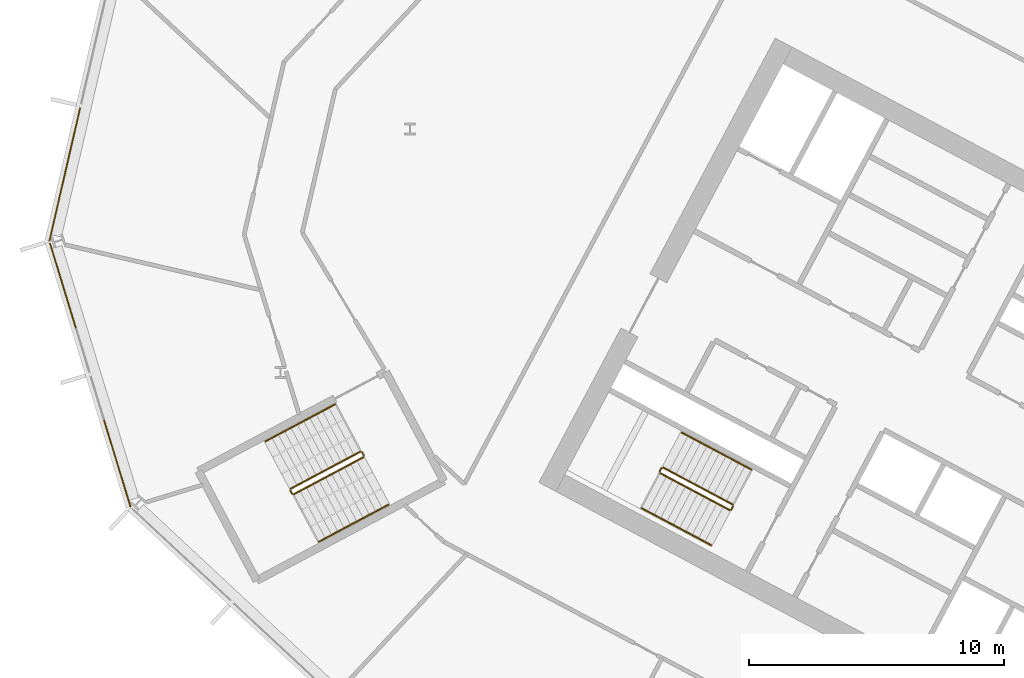
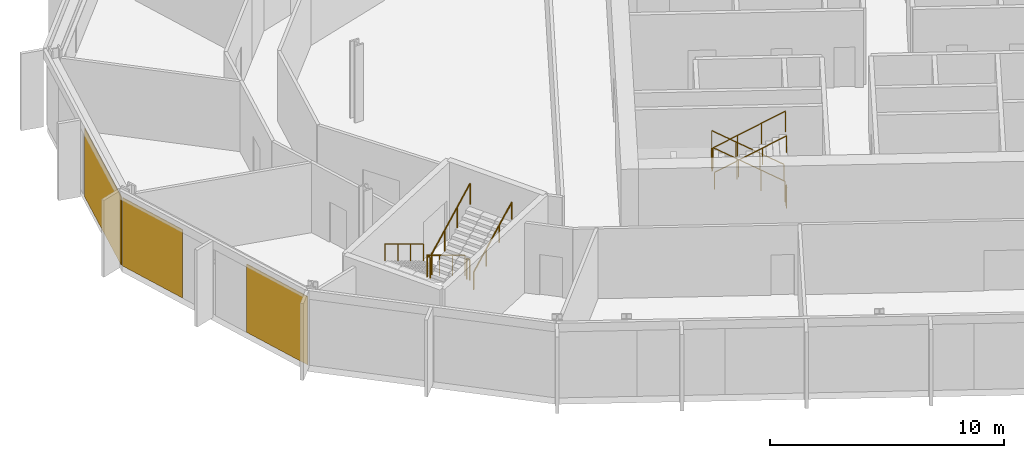
# One storey, part 21 of 28: 12 railings, 3 coverings, 2 elements without a shape of their own.
"""IFC4 building model written with IfcOpenShell, lengths in metres."""

import ifcopenshell
import ifcopenshell.guid

model = None  # the IFC model being written
_history = None  # IfcOwnerHistory: only IFC2X3 demands one
_inside = {}  # id of a spatial element -> (the spatial element, [elements in it])
_under = {}  # id of a project, library or spatial element -> (it, [spatial elements below it])
_declared = {}  # id of a project -> (the project, [libraries it declares])
_typed = {}  # id of a type object -> (the type object, [elements of that type])
_made_of = {}  # id of a material, layer set ... -> (it, [elements and type objects made of it])


def new_model(schema):
    """Start an empty IFC model of exactly this schema.

    Asked for "IFC4X3", IfcOpenShell would pick the latest addendum, in which some entities
    have other attributes; the version numbers below select the first issue.
    IFC2X3 requires an IfcOwnerHistory on every rooted entity: one is made here for all.
    """
    global model, _history
    if schema == "IFC4X3":
        model = ifcopenshell.file(schema_version=(4, 3, 0, 0))
    else:
        model = ifcopenshell.file(schema=schema)
    _inside.clear()
    _under.clear()
    _declared.clear()
    _typed.clear()
    _made_of.clear()
    _history = None
    if model.schema == "IFC2X3":
        org = make("IfcOrganization", Name="unknown")
        user = make(
            "IfcPersonAndOrganization",
            ThePerson=make("IfcPerson", FamilyName="unknown"),
            TheOrganization=org,
        )
        app = make(
            "IfcApplication",
            ApplicationDeveloper=org,
            Version="unknown",
            ApplicationFullName="unknown",
            ApplicationIdentifier="unknown",
        )
        _history = make(
            "IfcOwnerHistory",
            OwningUser=user,
            OwningApplication=app,
            ChangeAction="ADDED",
            CreationDate=0,
        )
    return model


def make(cls, **values):
    """One entity of the class cls with the attributes given. An attribute that is None is left unset."""
    return model.create_entity(
        cls, **{name: value for name, value in values.items() if value is not None}
    )


def rooted(cls, **values):
    """An entity with a GlobalId (a new one), such as an element, a storey or a relation."""
    return make(cls, GlobalId=ifcopenshell.guid.new(), OwnerHistory=_history, **values)


def si_unit(unit_type, name, prefix=None):
    """IfcSIUnit, for example si_unit("LENGTHUNIT", "METRE", prefix="MILLI")."""
    return make("IfcSIUnit", UnitType=unit_type, Prefix=prefix, Name=name)


def assignment(units):
    """IfcUnitAssignment: the units of a project."""
    return None if units is None else make("IfcUnitAssignment", Units=units)


def point(xyz):
    """IfcCartesianPoint."""
    return None if xyz is None else make("IfcCartesianPoint", Coordinates=xyz)


def direction(xyz):
    """IfcDirection."""
    return None if xyz is None else make("IfcDirection", DirectionRatios=xyz)


def frame(location, z_axis=None, x_axis=None):
    """IfcAxis2Placement3D, a coordinate frame: its origin and axes. An axis left out is left unset."""
    return make(
        "IfcAxis2Placement3D",
        Location=point(location),
        Axis=direction(z_axis),
        RefDirection=direction(x_axis),
    )


def frame_2d(location, x_axis=None):
    """IfcAxis2Placement2D, a coordinate frame in the plane: its origin and x axis."""
    return make(
        "IfcAxis2Placement2D", Location=point(location), RefDirection=direction(x_axis)
    )


def origin():
    """The frame at (0, 0, 0) with its axes left unset."""
    return frame((0.0, 0.0, 0.0))


def origin_2d():
    """The frame at (0, 0) in the plane with its x axis left unset."""
    return frame_2d((0.0, 0.0))


def place(relative_to, where):
    """IfcLocalPlacement: puts the frame where relative to a parent placement (None: the world)."""
    return make(
        "IfcLocalPlacement", PlacementRelTo=relative_to, RelativePlacement=where
    )


def context(
    kind, dimensions, precision=None, world=None, true_north=None, identifier=None
):
    """IfcGeometricRepresentationContext, for example the 3D "Model" context."""
    return make(
        "IfcGeometricRepresentationContext",
        ContextIdentifier=identifier,
        ContextType=kind,
        CoordinateSpaceDimension=dimensions,
        Precision=precision,
        WorldCoordinateSystem=world,
        TrueNorth=true_north,
    )


def subcontext(parent, identifier, kind, view, scale=None):
    """IfcGeometricRepresentationSubContext, for example "Body" below "Model"."""
    return make(
        "IfcGeometricRepresentationSubContext",
        ContextIdentifier=identifier,
        ContextType=kind,
        ParentContext=parent,
        TargetScale=scale,
        TargetView=view,
    )


def project(units=None, contexts=None):
    """IfcProject with its units and contexts."""
    return rooted(
        "IfcProject",
        Name="project",
        RepresentationContexts=contexts,
        UnitsInContext=assignment(units),
    )


def spatial(cls, under=None, at=None, **own):
    """A site, building, storey or space (cls), placed at a placement, below another one or the project."""
    s = rooted(cls, ObjectPlacement=at, **own)
    if under is not None:
        _under.setdefault(under.id(), (under, []))[1].append(s)
    return s


def polyline(points):
    """IfcPolyline through the points."""
    return make("IfcPolyline", Points=[point(p) for p in points])


def profile(cls, at=None, kind="AREA", **sizes):
    """A parametric profile (cls). Its sizes go by their IFC names, for example OverallWidth=200.0."""
    return make(cls, ProfileType=kind, Position=at, **sizes)


def rectangle(**sizes):
    """IfcRectangleProfileDef."""
    return profile("IfcRectangleProfileDef", **sizes)


def outline(outer, holes=None, kind="AREA"):
    """IfcArbitraryClosedProfileDef: a profile drawn as a closed curve; with holes, ...WithVoids."""
    if holes is None:
        return make("IfcArbitraryClosedProfileDef", ProfileType=kind, OuterCurve=outer)
    return make(
        "IfcArbitraryProfileDefWithVoids",
        ProfileType=kind,
        OuterCurve=outer,
        InnerCurves=holes,
    )


def extrude(swept, where, along, depth):
    """IfcExtrudedAreaSolid: the profile swept, set in the frame where, extruded along a direction by depth."""
    return make(
        "IfcExtrudedAreaSolid",
        SweptArea=swept,
        Position=where,
        ExtrudedDirection=direction(along),
        Depth=depth,
    )


def shape(context_of_items, identifier, shape_type, items):
    """IfcShapeRepresentation: the items that make up one representation, for example the "Body"."""
    return make(
        "IfcShapeRepresentation",
        ContextOfItems=context_of_items,
        RepresentationIdentifier=identifier,
        RepresentationType=shape_type,
        Items=items,
    )


def material(Name=None, Category=None):
    """IfcMaterial."""
    return make("IfcMaterial", Name=Name, Category=Category)


def layer(
    of_material, thickness, ventilated=None, Name=None, Category=None, Priority=None
):
    """IfcMaterialLayer: one layer of a wall or slab, of a material (None: an air gap)."""
    return make(
        "IfcMaterialLayer",
        Material=of_material,
        LayerThickness=thickness,
        IsVentilated=ventilated,
        Name=Name,
        Category=Category,
        Priority=Priority,
    )


def layer_set(layers, Name=None):
    """IfcMaterialLayerSet."""
    return make("IfcMaterialLayerSet", MaterialLayers=layers, LayerSetName=Name)


def made_of(thing, what):
    """Note that an element or type object is made of a material, layer set ...; save() writes the relation."""
    if what is not None:
        _made_of.setdefault(what.id(), (what, []))[1].append(thing)
    return thing


def type_object(cls, material=None, **own):
    """A type object (cls), such as IfcWallType, which elements share."""
    return made_of(rooted(cls, **own), material)


def element(
    cls,
    number,
    at=None,
    inside=None,
    cuts=None,
    type_object=None,
    material=None,
    context=None,
    identifier="Body",
    shape_type=None,
    held_by="IfcProductDefinitionShape",
    body=None,
    shapes=None,
    **own,
):
    """One element of the class cls, such as IfcWall. Its Tag is "e" and its number.

    at: its placement. inside: the storey or other place that contains it. cuts: it is an
    opening in that element (IfcRelVoidsElement). A single representation is given by context,
    identifier, shape_type and body (its items); several are given by shapes. held_by: the class
    of the entity that holds the representations. save() writes the other relations.
    """
    e = rooted(cls, Tag="e%d" % number, ObjectPlacement=at, **own)
    if body is not None:
        shapes = [shape(context, identifier, shape_type, body)]
    if shapes is not None:
        e.Representation = make(held_by, Representations=shapes)
    if inside is not None:
        _inside.setdefault(inside.id(), (inside, []))[1].append(e)
    if cuts is not None:
        rooted(
            "IfcRelVoidsElement", RelatingBuildingElement=cuts, RelatedOpeningElement=e
        )
    if type_object is not None:
        _typed.setdefault(type_object.id(), (type_object, []))[1].append(e)
    return made_of(e, material)


def aggregate(whole, parts):
    """IfcRelAggregates: a whole, such as a stair, and the parts it consists of."""
    return rooted("IfcRelAggregates", RelatingObject=whole, RelatedObjects=parts)


def save(model, path):
    """Write the relations noted so far, then the file.

    IfcRelAggregates (storeys below a building ...), IfcRelContainedInSpatialStructure (elements
    in a storey), IfcRelDefinesByType, IfcRelAssociatesMaterial and IfcRelDeclares: one each for
    every whole, place, type object, material and project.
    """
    for whole, parts in _under.values():
        aggregate(whole, parts)
    for where, things in _inside.values():
        rooted(
            "IfcRelContainedInSpatialStructure",
            RelatedElements=things,
            RelatingStructure=where,
        )
    for kind, things in _typed.values():
        rooted("IfcRelDefinesByType", RelatedObjects=things, RelatingType=kind)
    for what, things in _made_of.values():
        rooted("IfcRelAssociatesMaterial", RelatedObjects=things, RelatingMaterial=what)
    for by, libraries in _declared.values():
        rooted("IfcRelDeclares", RelatingContext=by, RelatedDefinitions=libraries)
    model.write(path)


model = new_model("IFC4")

# Units and contexts
model_context = context("Model", 3, precision=1e-05, world=origin(), true_north=direction((0.0, 1.0)))
body_context = subcontext(model_context, "Body", "Model", "MODEL_VIEW")
ifc_project = project(units=[si_unit("LENGTHUNIT", "METRE"), si_unit("AREAUNIT", "SQUARE_METRE"), si_unit("VOLUMEUNIT", "CUBIC_METRE"), si_unit("PLANEANGLEUNIT", "RADIAN"), si_unit("MASSUNIT", "GRAM", prefix="KILO")], contexts=[model_context])

# Site, building, storey
site_placement = place(None, origin())
site = spatial("IfcSite", under=ifc_project, at=site_placement, CompositionType="ELEMENT")
building_placement = place(site_placement, origin())
building = spatial("IfcBuilding", under=site, at=building_placement, Name="Cormorant Relay Tower", CompositionType="ELEMENT")
storey_placement = place(building_placement, frame((0.0, 0.0, 146.199951171875)))
storey = spatial("IfcBuildingStorey", under=building, at=storey_placement, Name="L30", CompositionType="ELEMENT", Elevation=146.199951171875)

# Curtain wall, covering
ifc_material_1 = material(Name="Aluminium 6063-T6 anodised bronze", Category="aluminium")
ifc_layer_1 = layer(ifc_material_1, 0.199951171875)
ifc_layer_set_1 = layer_set([ifc_layer_1], Name="CW1 unitised bronze curtain wall with vertical fins")
curtain_wall_type = type_object("IfcCurtainWallType", Name="CW1 unitised bronze curtain wall with vertical fins", PredefinedType="NOTDEFINED", material=ifc_layer_set_1)
curtain_wall_1_placement = place(storey_placement, origin())
curtain_wall_1 = element("IfcCurtainWall", 1, at=curtain_wall_1_placement, inside=storey, type_object=curtain_wall_type, Name="CW1 curtain wall 13", PredefinedType="NOTDEFINED")
ifc_material_2 = material(Name="Pale bronze anodised aluminium insulated panel", Category="aluminium")
ifc_layer_2 = layer(ifc_material_2, 0.0400390625)
ifc_layer_set_2 = layer_set([ifc_layer_2], Name="CW1 pale bronze insulated panel 40")
covering_type = type_object("IfcCoveringType", Name="CW1 pale bronze insulated panel 40", PredefinedType="CLADDING", material=ifc_layer_set_2)
covering_1_placement = place(storey_placement, frame((-60.136474609375, 23.00927734375, 0.0), z_axis=(0.0, 0.0, 1.0), x_axis=(-0.224951054344, -0.974370064785, 0.0)))
covering_1 = element("IfcCovering", 2, at=covering_1_placement, type_object=covering_type, Name="CW1 panel S02", PredefinedType="CLADDING", context=body_context, shape_type="SweptSolid", body=[
    extrude(rectangle(XDim=5.360107421875, YDim=0.0400390625, at=origin_2d()), origin(), (0.0, 0.0, 1.0), 3.550048828125),
])
aggregate(curtain_wall_1, [covering_1])

# Curtain wall, coverings
curtain_wall_2_placement = place(storey_placement, origin())
curtain_wall_2 = element("IfcCurtainWall", 3, at=curtain_wall_2_placement, inside=storey, type_object=curtain_wall_type, Name="CW1 curtain wall 14", PredefinedType="NOTDEFINED")
covering_2_placement = place(storey_placement, frame((-60.20751953125, 18.6494140625, 0.0), z_axis=(0.0, 0.0, 1.0), x_axis=(0.292371704723, -0.956304755963, 0.0)))
covering_2 = element("IfcCovering", 4, at=covering_2_placement, type_object=covering_type, Name="CW1 panel S00", PredefinedType="CLADDING", context=body_context, shape_type="SweptSolid", body=[
    extrude(rectangle(XDim=3.485107421875, YDim=0.0400390625, at=origin_2d()), origin(), (0.0, 0.0, 1.0), 3.550048828125),
])
covering_3_placement = place(storey_placement, frame((-58.081298828125, 11.6943359375, 0.0), z_axis=(0.0, 0.0, 1.0), x_axis=(0.292371704723, -0.956304755963, 0.0)))
covering_3 = element("IfcCovering", 5, at=covering_3_placement, type_object=covering_type, Name="CW1 panel S03", PredefinedType="CLADDING", context=body_context, shape_type="SweptSolid", body=[
    extrude(rectangle(XDim=3.560302734375, YDim=0.0400390625, at=origin_2d()), origin(), (0.0, 0.0, 1.0), 3.550048828125),
])
aggregate(curtain_wall_2, [covering_2, covering_3])

# Railings
ifc_material_3 = material(Name="Steel ASTM A572 Grade 50 (Fy 345 MPa)", Category="steel")
railing_type_1 = type_object("IfcRailingType", Name="Stair guard 1100", PredefinedType="GUARDRAIL", material=ifc_material_3)
railing_1_placement = place(storey_placement, frame((-33.9921875, 10.08935546875, 0.166748046875)))
element("IfcRailing", 6, at=railing_1_placement, inside=storey, type_object=railing_type_1, Name="L30 A2 stair guard 1", PredefinedType="GUARDRAIL", context=body_context, shape_type="SweptSolid", body=[
    extrude(outline(polyline([(0.022216796875, 0.00927734375), (0.00927734375, 0.022216796875), (-0.00927734375, 0.022216796875), (-0.022216796875, 0.00927734375), (-0.022216796875, -0.00927734375), (-0.00927734375, -0.022216796875), (0.00927734375, -0.022216796875), (0.022216796875, -0.00927734375), (0.022216796875, 0.00927734375)])), frame((0.0, 0.0, 1.076171875), z_axis=(-0.758713656843, 0.403434867536, 0.511462505542), x_axis=(-0.469489399267, -0.882938108802, 0.0)), (0.0, 0.0, 1.0), 3.584228515625),
    extrude(outline(polyline([(0.019287109375, 0.008056640625), (0.008056640625, 0.019287109375), (-0.008056640625, 0.019287109375), (-0.019287109375, 0.008056640625), (-0.019287109375, -0.008056640625), (-0.008056640625, -0.019287109375), (0.008056640625, -0.019287109375), (0.019287109375, -0.008056640625), (0.019287109375, 0.008056640625)])), origin(), (0.0, 0.0, 1.0), 1.052001953125),
    extrude(outline(polyline([(0.019287109375, 0.008056640625), (0.008056640625, 0.019287109375), (-0.008056640625, 0.019287109375), (-0.019287109375, 0.008056640625), (-0.019287109375, -0.008056640625), (-0.008056640625, -0.019287109375), (0.008056640625, -0.019287109375), (0.019287109375, -0.008056640625), (0.019287109375, 0.008056640625)])), frame((-0.906494140625, 0.48193359375, 0.611083984375)), (0.0, 0.0, 1.0), 1.052001953125),
    extrude(outline(polyline([(0.019287109375, 0.008056640625), (0.008056640625, 0.019287109375), (-0.008056640625, 0.019287109375), (-0.019287109375, 0.008056640625), (-0.019287109375, -0.008056640625), (-0.008056640625, -0.019287109375), (0.008056640625, -0.019287109375), (0.019287109375, -0.008056640625), (0.019287109375, 0.008056640625)])), frame((-1.81298828125, 0.964111328125, 1.22216796875)), (0.0, 0.0, 1.0), 1.052001953125),
    extrude(outline(polyline([(0.019287109375, 0.008056640625), (0.008056640625, 0.019287109375), (-0.008056640625, 0.019287109375), (-0.019287109375, 0.008056640625), (-0.019287109375, -0.008056640625), (-0.008056640625, -0.019287109375), (0.008056640625, -0.019287109375), (0.019287109375, -0.008056640625), (0.019287109375, 0.008056640625)])), frame((-2.719482421875, 1.446044921875, 1.833251953125)), (0.0, 0.0, 1.0), 1.052001953125),
])
railing_2_placement = place(storey_placement, frame((-36.779296875, 11.5146484375, 2.0)))
element("IfcRailing", 7, at=railing_2_placement, inside=storey, type_object=railing_type_1, Name="L30 A2 stair guard 2", PredefinedType="GUARDRAIL", context=body_context, shape_type="SweptSolid", body=[
    extrude(outline(polyline([(0.022216796875, 0.00927734375), (0.00927734375, 0.022216796875), (-0.00927734375, 0.022216796875), (-0.022216796875, 0.00927734375), (-0.022216796875, -0.00927734375), (-0.00927734375, -0.022216796875), (0.00927734375, -0.022216796875), (0.022216796875, -0.00927734375), (0.022216796875, 0.00927734375)])), frame((0.0, 0.0, 1.076171875), z_axis=(-0.469234640946, -0.883073525669, 0.0), x_axis=(0.883073525669, -0.469234640946, 0.0)), (0.0, 0.0, 1.0), 0.14990234375),
    extrude(outline(polyline([(0.019287109375, 0.008056640625), (0.008056640625, 0.019287109375), (-0.008056640625, 0.019287109375), (-0.019287109375, 0.008056640625), (-0.019287109375, -0.008056640625), (-0.008056640625, -0.019287109375), (0.008056640625, -0.019287109375), (0.019287109375, -0.008056640625), (0.019287109375, 0.008056640625)])), origin(), (0.0, 0.0, 1.0), 1.052001953125),
    extrude(outline(polyline([(0.019287109375, 0.008056640625), (0.008056640625, 0.019287109375), (-0.008056640625, 0.019287109375), (-0.019287109375, 0.008056640625), (-0.019287109375, -0.008056640625), (-0.008056640625, -0.019287109375), (0.008056640625, -0.019287109375), (0.019287109375, -0.008056640625), (0.019287109375, 0.008056640625)])), frame((-0.0703125, -0.13232421875, 0.0)), (0.0, 0.0, 1.0), 1.052001953125),
])
railing_3_placement = place(storey_placement, frame((-36.8291015625, 11.314697265625, 2.166748046875)))
element("IfcRailing", 8, at=railing_3_placement, inside=storey, type_object=railing_type_1, Name="L30 A2 stair guard 3", PredefinedType="GUARDRAIL", context=body_context, shape_type="SweptSolid", body=[
    extrude(outline(polyline([(0.022216796875, 0.00927734375), (0.00927734375, 0.022216796875), (-0.00927734375, 0.022216796875), (-0.022216796875, 0.00927734375), (-0.022216796875, -0.00927734375), (-0.00927734375, -0.022216796875), (0.00927734375, -0.022216796875), (0.022216796875, -0.00927734375), (0.022216796875, 0.00927734375)])), frame((0.0, 0.0, 1.076171875), z_axis=(0.758713656843, -0.403434867536, 0.511462505542), x_axis=(0.469489399267, 0.882938108802, 0.0)), (0.0, 0.0, 1.0), 3.584228515625),
    extrude(outline(polyline([(0.019287109375, 0.008056640625), (0.008056640625, 0.019287109375), (-0.008056640625, 0.019287109375), (-0.019287109375, 0.008056640625), (-0.019287109375, -0.008056640625), (-0.008056640625, -0.019287109375), (0.008056640625, -0.019287109375), (0.019287109375, -0.008056640625), (0.019287109375, 0.008056640625)])), origin(), (0.0, 0.0, 1.0), 1.052001953125),
    extrude(outline(polyline([(0.019287109375, 0.008056640625), (0.008056640625, 0.019287109375), (-0.008056640625, 0.019287109375), (-0.019287109375, 0.008056640625), (-0.019287109375, -0.008056640625), (-0.008056640625, -0.019287109375), (0.008056640625, -0.019287109375), (0.019287109375, -0.008056640625), (0.019287109375, 0.008056640625)])), frame((0.906494140625, -0.48193359375, 0.611083984375)), (0.0, 0.0, 1.0), 1.052001953125),
    extrude(outline(polyline([(0.019287109375, 0.008056640625), (0.008056640625, 0.019287109375), (-0.008056640625, 0.019287109375), (-0.019287109375, 0.008056640625), (-0.019287109375, -0.008056640625), (-0.008056640625, -0.019287109375), (0.008056640625, -0.019287109375), (0.019287109375, -0.008056640625), (0.019287109375, 0.008056640625)])), frame((1.81298828125, -0.964111328125, 1.22216796875)), (0.0, 0.0, 1.0), 1.052001953125),
    extrude(outline(polyline([(0.019287109375, 0.008056640625), (0.008056640625, 0.019287109375), (-0.008056640625, 0.019287109375), (-0.019287109375, 0.008056640625), (-0.019287109375, -0.008056640625), (-0.008056640625, -0.019287109375), (0.008056640625, -0.019287109375), (0.019287109375, -0.008056640625), (0.019287109375, 0.008056640625)])), frame((2.719482421875, -1.446044921875, 1.833251953125)), (0.0, 0.0, 1.0), 1.052001953125),
])
railing_4_placement = place(storey_placement, frame((-33.971435546875, 10.021728515625, 0.0)))
element("IfcRailing", 9, at=railing_4_placement, inside=storey, type_object=railing_type_1, Name="L30 A2 stair guard 4", PredefinedType="GUARDRAIL", context=body_context, shape_type="SweptSolid", body=[
    extrude(outline(polyline([(0.022216796875, 0.00927734375), (0.00927734375, 0.022216796875), (-0.00927734375, 0.022216796875), (-0.022216796875, 0.00927734375), (-0.022216796875, -0.00927734375), (-0.00927734375, -0.022216796875), (0.00927734375, -0.022216796875), (0.022216796875, -0.00927734375), (0.022216796875, 0.00927734375)])), frame((0.0, 0.0, 1.076171875), z_axis=(-0.470503732759, -0.882398003998, 0.0), x_axis=(0.882398003998, -0.470503732759, 0.0)), (0.0, 0.0, 1.0), 0.14990234375),
    extrude(outline(polyline([(0.019287109375, 0.008056640625), (0.008056640625, 0.019287109375), (-0.008056640625, 0.019287109375), (-0.019287109375, 0.008056640625), (-0.019287109375, -0.008056640625), (-0.008056640625, -0.019287109375), (0.008056640625, -0.019287109375), (0.019287109375, -0.008056640625), (0.019287109375, 0.008056640625)])), origin(), (0.0, 0.0, 1.0), 1.052001953125),
    extrude(outline(polyline([(0.019287109375, 0.008056640625), (0.008056640625, 0.019287109375), (-0.008056640625, 0.019287109375), (-0.019287109375, 0.008056640625), (-0.019287109375, -0.008056640625), (-0.008056640625, -0.019287109375), (0.008056640625, -0.019287109375), (0.019287109375, -0.008056640625), (0.019287109375, 0.008056640625)])), frame((-0.070556640625, -0.13232421875, 0.0)), (0.0, 0.0, 1.0), 1.052001953125),
])
railing_5_placement = place(storey_placement, frame((-48.5693359375, 12.155517578125, 0.166748046875)))
element("IfcRailing", 10, at=railing_5_placement, inside=storey, type_object=railing_type_1, Name="L30 RP1 stair guard 1", PredefinedType="GUARDRAIL", context=body_context, shape_type="SweptSolid", body=[
    extrude(outline(polyline([(0.022216796875, 0.00927734375), (0.00927734375, 0.022216796875), (-0.00927734375, 0.022216796875), (-0.022216796875, 0.00927734375), (-0.022216796875, -0.00927734375), (-0.00927734375, -0.022216796875), (0.00927734375, -0.022216796875), (0.022216796875, -0.00927734375), (0.022216796875, 0.00927734375)])), frame((0.0, 0.0, 1.076171875), z_axis=(-0.758713656843, -0.403434867536, 0.511462505542), x_axis=(0.469489399267, -0.882938108802, 0.0)), (0.0, 0.0, 1.0), 3.584228515625),
    extrude(outline(polyline([(0.019287109375, 0.008056640625), (0.008056640625, 0.019287109375), (-0.008056640625, 0.019287109375), (-0.019287109375, 0.008056640625), (-0.019287109375, -0.008056640625), (-0.008056640625, -0.019287109375), (0.008056640625, -0.019287109375), (0.019287109375, -0.008056640625), (0.019287109375, 0.008056640625)])), origin(), (0.0, 0.0, 1.0), 1.052001953125),
    extrude(outline(polyline([(0.019287109375, 0.008056640625), (0.008056640625, 0.019287109375), (-0.008056640625, 0.019287109375), (-0.019287109375, 0.008056640625), (-0.019287109375, -0.008056640625), (-0.008056640625, -0.019287109375), (0.008056640625, -0.019287109375), (0.019287109375, -0.008056640625), (0.019287109375, 0.008056640625)])), frame((-0.906494140625, -0.48193359375, 0.611083984375)), (0.0, 0.0, 1.0), 1.052001953125),
    extrude(outline(polyline([(0.019287109375, 0.008056640625), (0.008056640625, 0.019287109375), (-0.008056640625, 0.019287109375), (-0.019287109375, 0.008056640625), (-0.019287109375, -0.008056640625), (-0.008056640625, -0.019287109375), (0.008056640625, -0.019287109375), (0.019287109375, -0.008056640625), (0.019287109375, 0.008056640625)])), frame((-1.81298828125, -0.964111328125, 1.22216796875)), (0.0, 0.0, 1.0), 1.052001953125),
    extrude(outline(polyline([(0.019287109375, 0.008056640625), (0.008056640625, 0.019287109375), (-0.008056640625, 0.019287109375), (-0.019287109375, 0.008056640625), (-0.019287109375, -0.008056640625), (-0.008056640625, -0.019287109375), (0.008056640625, -0.019287109375), (0.019287109375, -0.008056640625), (0.019287109375, 0.008056640625)])), frame((-2.719482421875, -1.446044921875, 1.833251953125)), (0.0, 0.0, 1.0), 1.052001953125),
])
railing_6_placement = place(storey_placement, frame((-51.3095703125, 10.641845703125, 2.0)))
element("IfcRailing", 11, at=railing_6_placement, inside=storey, type_object=railing_type_1, Name="L30 RP1 stair guard 2", PredefinedType="GUARDRAIL", context=body_context, shape_type="SweptSolid", body=[
    extrude(outline(polyline([(0.022216796875, 0.00927734375), (0.00927734375, 0.022216796875), (-0.00927734375, 0.022216796875), (-0.022216796875, 0.00927734375), (-0.022216796875, -0.00927734375), (-0.00927734375, -0.022216796875), (0.00927734375, -0.022216796875), (0.022216796875, -0.00927734375), (0.022216796875, 0.00927734375)])), frame((0.0, 0.0, 1.076171875), z_axis=(0.469828648786, -0.882757634224, 0.0), x_axis=(0.882757634224, 0.469828648786, 0.0)), (0.0, 0.0, 1.0), 0.150146484375),
    extrude(outline(polyline([(0.019287109375, 0.008056640625), (0.008056640625, 0.019287109375), (-0.008056640625, 0.019287109375), (-0.019287109375, 0.008056640625), (-0.019287109375, -0.008056640625), (-0.008056640625, -0.019287109375), (0.008056640625, -0.019287109375), (0.019287109375, -0.008056640625), (0.019287109375, 0.008056640625)])), origin(), (0.0, 0.0, 1.0), 1.052001953125),
    extrude(outline(polyline([(0.019287109375, 0.008056640625), (0.008056640625, 0.019287109375), (-0.008056640625, 0.019287109375), (-0.019287109375, 0.008056640625), (-0.019287109375, -0.008056640625), (-0.008056640625, -0.019287109375), (0.008056640625, -0.019287109375), (0.019287109375, -0.008056640625), (0.019287109375, 0.008056640625)])), frame((0.070556640625, -0.132568359375, 0.0)), (0.0, 0.0, 1.0), 1.052001953125),
])
railing_7_placement = place(storey_placement, frame((-51.17138671875, 10.48876953125, 2.166748046875)))
element("IfcRailing", 12, at=railing_7_placement, inside=storey, type_object=railing_type_1, Name="L30 RP1 stair guard 3", PredefinedType="GUARDRAIL", context=body_context, shape_type="SweptSolid", body=[
    extrude(outline(polyline([(0.022216796875, 0.00927734375), (0.00927734375, 0.022216796875), (-0.00927734375, 0.022216796875), (-0.022216796875, 0.00927734375), (-0.022216796875, -0.00927734375), (-0.00927734375, -0.022216796875), (0.00927734375, -0.022216796875), (0.022216796875, -0.00927734375), (0.022216796875, 0.00927734375)])), frame((0.0, 0.0, 1.076171875), z_axis=(0.758734504837, 0.403377838015, 0.511476559549), x_axis=(-0.469427602063, 0.882970965786, 0.0)), (0.0, 0.0, 1.0), 3.584228515625),
    extrude(outline(polyline([(0.019287109375, 0.008056640625), (0.008056640625, 0.019287109375), (-0.008056640625, 0.019287109375), (-0.019287109375, 0.008056640625), (-0.019287109375, -0.008056640625), (-0.008056640625, -0.019287109375), (0.008056640625, -0.019287109375), (0.019287109375, -0.008056640625), (0.019287109375, 0.008056640625)])), origin(), (0.0, 0.0, 1.0), 1.052001953125),
    extrude(outline(polyline([(0.019287109375, 0.008056640625), (0.008056640625, 0.019287109375), (-0.008056640625, 0.019287109375), (-0.019287109375, 0.008056640625), (-0.019287109375, -0.008056640625), (-0.008056640625, -0.019287109375), (0.008056640625, -0.019287109375), (0.019287109375, -0.008056640625), (0.019287109375, 0.008056640625)])), frame((0.906494140625, 0.48193359375, 0.611083984375)), (0.0, 0.0, 1.0), 1.052001953125),
    extrude(outline(polyline([(0.019287109375, 0.008056640625), (0.008056640625, 0.019287109375), (-0.008056640625, 0.019287109375), (-0.019287109375, 0.008056640625), (-0.019287109375, -0.008056640625), (-0.008056640625, -0.019287109375), (0.008056640625, -0.019287109375), (0.019287109375, -0.008056640625), (0.019287109375, 0.008056640625)])), frame((1.81298828125, 0.9638671875, 1.22216796875)), (0.0, 0.0, 1.0), 1.052001953125),
    extrude(outline(polyline([(0.019287109375, 0.008056640625), (0.008056640625, 0.019287109375), (-0.008056640625, 0.019287109375), (-0.019287109375, 0.008056640625), (-0.019287109375, -0.008056640625), (-0.008056640625, -0.019287109375), (0.008056640625, -0.019287109375), (0.019287109375, -0.008056640625), (0.019287109375, 0.008056640625)])), frame((2.719482421875, 1.44580078125, 1.833251953125)), (0.0, 0.0, 1.0), 1.052001953125),
])
railing_8_placement = place(storey_placement, frame((-48.501708984375, 12.134765625, 0.0)))
element("IfcRailing", 13, at=railing_8_placement, inside=storey, type_object=railing_type_1, Name="L30 RP1 stair guard 4", PredefinedType="GUARDRAIL", context=body_context, shape_type="SweptSolid", body=[
    extrude(outline(polyline([(0.022216796875, 0.00927734375), (0.00927734375, 0.022216796875), (-0.00927734375, 0.022216796875), (-0.022216796875, 0.00927734375), (-0.022216796875, -0.00927734375), (-0.00927734375, -0.022216796875), (0.00927734375, -0.022216796875), (0.022216796875, -0.00927734375), (0.022216796875, 0.00927734375)])), frame((0.0, 0.0, 1.076171875), z_axis=(0.46856034887, -0.8834314911, 0.0), x_axis=(0.8834314911, 0.46856034887, 0.0)), (0.0, 0.0, 1.0), 0.150146484375),
    extrude(outline(polyline([(0.019287109375, 0.008056640625), (0.008056640625, 0.019287109375), (-0.008056640625, 0.019287109375), (-0.019287109375, 0.008056640625), (-0.019287109375, -0.008056640625), (-0.008056640625, -0.019287109375), (0.008056640625, -0.019287109375), (0.019287109375, -0.008056640625), (0.019287109375, 0.008056640625)])), origin(), (0.0, 0.0, 1.0), 1.052001953125),
    extrude(outline(polyline([(0.019287109375, 0.008056640625), (0.008056640625, 0.019287109375), (-0.008056640625, 0.019287109375), (-0.019287109375, 0.008056640625), (-0.019287109375, -0.008056640625), (-0.008056640625, -0.019287109375), (0.008056640625, -0.019287109375), (0.019287109375, -0.008056640625), (0.019287109375, 0.008056640625)])), frame((0.0703125, -0.132568359375, 0.0)), (0.0, 0.0, 1.0), 1.052001953125),
])
ifc_material_4 = material(Name="Steel ASTM A572 Grade 50 (Fy 345 MPa)", Category="steel")
railing_type_2 = type_object("IfcRailingType", Name="Stair handrail 900", PredefinedType="HANDRAIL", material=ifc_material_4)
railing_9_placement = place(storey_placement, frame((-33.264404296875, 11.4580078125, 0.166748046875)))
element("IfcRailing", 14, at=railing_9_placement, inside=storey, type_object=railing_type_2, Name="L30 A2 stair handrail 1", PredefinedType="HANDRAIL", context=body_context, shape_type="SweptSolid", body=[
    extrude(outline(polyline([(0.022216796875, 0.00927734375), (0.00927734375, 0.022216796875), (-0.00927734375, 0.022216796875), (-0.022216796875, 0.00927734375), (-0.022216796875, -0.00927734375), (-0.00927734375, -0.022216796875), (0.00927734375, -0.022216796875), (0.022216796875, -0.00927734375), (0.022216796875, 0.00927734375)])), frame((0.0, 0.0, 0.8759765625), z_axis=(-0.758734504837, 0.403377838015, 0.511476559549), x_axis=(-0.469427602063, -0.882970965786, 0.0)), (0.0, 0.0, 1.0), 3.584228515625),
    extrude(outline(polyline([(0.019287109375, 0.008056640625), (0.008056640625, 0.019287109375), (-0.008056640625, 0.019287109375), (-0.019287109375, 0.008056640625), (-0.019287109375, -0.008056640625), (-0.008056640625, -0.019287109375), (0.008056640625, -0.019287109375), (0.019287109375, -0.008056640625), (0.019287109375, 0.008056640625)])), origin(), (0.0, 0.0, 1.0), 0.851806640625),
    extrude(outline(polyline([(0.019287109375, 0.008056640625), (0.008056640625, 0.019287109375), (-0.008056640625, 0.019287109375), (-0.019287109375, 0.008056640625), (-0.019287109375, -0.008056640625), (-0.008056640625, -0.019287109375), (0.008056640625, -0.019287109375), (0.019287109375, -0.008056640625), (0.019287109375, 0.008056640625)])), frame((-0.906494140625, 0.48193359375, 0.611083984375)), (0.0, 0.0, 1.0), 0.851806640625),
    extrude(outline(polyline([(0.019287109375, 0.008056640625), (0.008056640625, 0.019287109375), (-0.008056640625, 0.019287109375), (-0.019287109375, 0.008056640625), (-0.019287109375, -0.008056640625), (-0.008056640625, -0.019287109375), (0.008056640625, -0.019287109375), (0.019287109375, -0.008056640625), (0.019287109375, 0.008056640625)])), frame((-1.81298828125, 0.9638671875, 1.22216796875)), (0.0, 0.0, 1.0), 0.851806640625),
    extrude(outline(polyline([(0.019287109375, 0.008056640625), (0.008056640625, 0.019287109375), (-0.008056640625, 0.019287109375), (-0.019287109375, 0.008056640625), (-0.019287109375, -0.008056640625), (-0.008056640625, -0.019287109375), (0.008056640625, -0.019287109375), (0.019287109375, -0.008056640625), (0.019287109375, 0.008056640625)])), frame((-2.719482421875, 1.44580078125, 1.833251953125)), (0.0, 0.0, 1.0), 0.851806640625),
])
railing_10_placement = place(storey_placement, frame((-37.556640625, 9.946044921875, 2.166748046875)))
element("IfcRailing", 15, at=railing_10_placement, inside=storey, type_object=railing_type_2, Name="L30 A2 stair handrail 2", PredefinedType="HANDRAIL", context=body_context, shape_type="SweptSolid", body=[
    extrude(outline(polyline([(0.022216796875, 0.00927734375), (0.00927734375, 0.022216796875), (-0.00927734375, 0.022216796875), (-0.022216796875, 0.00927734375), (-0.022216796875, -0.00927734375), (-0.00927734375, -0.022216796875), (0.00927734375, -0.022216796875), (0.022216796875, -0.00927734375), (0.022216796875, 0.00927734375)])), frame((0.0, 0.0, 0.8759765625), z_axis=(0.758713656843, -0.403434867536, 0.511462505542), x_axis=(0.469489399267, 0.882938108802, 0.0)), (0.0, 0.0, 1.0), 3.584228515625),
    extrude(outline(polyline([(0.019287109375, 0.008056640625), (0.008056640625, 0.019287109375), (-0.008056640625, 0.019287109375), (-0.019287109375, 0.008056640625), (-0.019287109375, -0.008056640625), (-0.008056640625, -0.019287109375), (0.008056640625, -0.019287109375), (0.019287109375, -0.008056640625), (0.019287109375, 0.008056640625)])), origin(), (0.0, 0.0, 1.0), 0.851806640625),
    extrude(outline(polyline([(0.019287109375, 0.008056640625), (0.008056640625, 0.019287109375), (-0.008056640625, 0.019287109375), (-0.019287109375, 0.008056640625), (-0.019287109375, -0.008056640625), (-0.008056640625, -0.019287109375), (0.008056640625, -0.019287109375), (0.019287109375, -0.008056640625), (0.019287109375, 0.008056640625)])), frame((0.906494140625, -0.48193359375, 0.611083984375)), (0.0, 0.0, 1.0), 0.851806640625),
    extrude(outline(polyline([(0.019287109375, 0.008056640625), (0.008056640625, 0.019287109375), (-0.008056640625, 0.019287109375), (-0.019287109375, 0.008056640625), (-0.019287109375, -0.008056640625), (-0.008056640625, -0.019287109375), (0.008056640625, -0.019287109375), (0.019287109375, -0.008056640625), (0.019287109375, 0.008056640625)])), frame((1.81298828125, -0.964111328125, 1.22216796875)), (0.0, 0.0, 1.0), 0.851806640625),
    extrude(outline(polyline([(0.019287109375, 0.008056640625), (0.008056640625, 0.019287109375), (-0.008056640625, 0.019287109375), (-0.019287109375, 0.008056640625), (-0.019287109375, -0.008056640625), (-0.008056640625, -0.019287109375), (0.008056640625, -0.019287109375), (0.019287109375, -0.008056640625), (0.019287109375, 0.008056640625)])), frame((2.719482421875, -1.446044921875, 1.833251953125)), (0.0, 0.0, 1.0), 0.851806640625),
])
railing_11_placement = place(storey_placement, frame((-49.55517578125, 14.009521484375, 0.166748046875)))
element("IfcRailing", 16, at=railing_11_placement, inside=storey, type_object=railing_type_2, Name="L30 RP1 stair handrail 1", PredefinedType="HANDRAIL", context=body_context, shape_type="SweptSolid", body=[
    extrude(outline(polyline([(0.022216796875, 0.00927734375), (0.00927734375, 0.022216796875), (-0.00927734375, 0.022216796875), (-0.022216796875, 0.00927734375), (-0.022216796875, -0.00927734375), (-0.00927734375, -0.022216796875), (0.00927734375, -0.022216796875), (0.022216796875, -0.00927734375), (0.022216796875, 0.00927734375)])), frame((0.0, 0.0, 0.8759765625), z_axis=(-0.758734504837, -0.403377838015, 0.511476559549), x_axis=(0.469427602063, -0.882970965786, 0.0)), (0.0, 0.0, 1.0), 3.584228515625),
    extrude(outline(polyline([(0.019287109375, 0.008056640625), (0.008056640625, 0.019287109375), (-0.008056640625, 0.019287109375), (-0.019287109375, 0.008056640625), (-0.019287109375, -0.008056640625), (-0.008056640625, -0.019287109375), (0.008056640625, -0.019287109375), (0.019287109375, -0.008056640625), (0.019287109375, 0.008056640625)])), origin(), (0.0, 0.0, 1.0), 0.851806640625),
    extrude(outline(polyline([(0.019287109375, 0.008056640625), (0.008056640625, 0.019287109375), (-0.008056640625, 0.019287109375), (-0.019287109375, 0.008056640625), (-0.019287109375, -0.008056640625), (-0.008056640625, -0.019287109375), (0.008056640625, -0.019287109375), (0.019287109375, -0.008056640625), (0.019287109375, 0.008056640625)])), frame((-0.906494140625, -0.48193359375, 0.611083984375)), (0.0, 0.0, 1.0), 0.851806640625),
    extrude(outline(polyline([(0.019287109375, 0.008056640625), (0.008056640625, 0.019287109375), (-0.008056640625, 0.019287109375), (-0.019287109375, 0.008056640625), (-0.019287109375, -0.008056640625), (-0.008056640625, -0.019287109375), (0.008056640625, -0.019287109375), (0.019287109375, -0.008056640625), (0.019287109375, 0.008056640625)])), frame((-1.81298828125, -0.9638671875, 1.22216796875)), (0.0, 0.0, 1.0), 0.851806640625),
    extrude(outline(polyline([(0.019287109375, 0.008056640625), (0.008056640625, 0.019287109375), (-0.008056640625, 0.019287109375), (-0.019287109375, 0.008056640625), (-0.019287109375, -0.008056640625), (-0.008056640625, -0.019287109375), (0.008056640625, -0.019287109375), (0.019287109375, -0.008056640625), (0.019287109375, 0.008056640625)])), frame((-2.719482421875, -1.44580078125, 1.833251953125)), (0.0, 0.0, 1.0), 0.851806640625),
])
railing_12_placement = place(storey_placement, frame((-50.185546875, 8.634521484375, 2.166748046875)))
element("IfcRailing", 17, at=railing_12_placement, inside=storey, type_object=railing_type_2, Name="L30 RP1 stair handrail 2", PredefinedType="HANDRAIL", context=body_context, shape_type="SweptSolid", body=[
    extrude(outline(polyline([(0.022216796875, 0.00927734375), (0.00927734375, 0.022216796875), (-0.00927734375, 0.022216796875), (-0.022216796875, 0.00927734375), (-0.022216796875, -0.00927734375), (-0.00927734375, -0.022216796875), (0.00927734375, -0.022216796875), (0.022216796875, -0.00927734375), (0.022216796875, 0.00927734375)])), frame((0.0, 0.0, 0.8759765625), z_axis=(0.758713656843, 0.403434867536, 0.511462505542), x_axis=(-0.469489399267, 0.882938108802, 0.0)), (0.0, 0.0, 1.0), 3.584228515625),
    extrude(outline(polyline([(0.019287109375, 0.008056640625), (0.008056640625, 0.019287109375), (-0.008056640625, 0.019287109375), (-0.019287109375, 0.008056640625), (-0.019287109375, -0.008056640625), (-0.008056640625, -0.019287109375), (0.008056640625, -0.019287109375), (0.019287109375, -0.008056640625), (0.019287109375, 0.008056640625)])), origin(), (0.0, 0.0, 1.0), 0.851806640625),
    extrude(outline(polyline([(0.019287109375, 0.008056640625), (0.008056640625, 0.019287109375), (-0.008056640625, 0.019287109375), (-0.019287109375, 0.008056640625), (-0.019287109375, -0.008056640625), (-0.008056640625, -0.019287109375), (0.008056640625, -0.019287109375), (0.019287109375, -0.008056640625), (0.019287109375, 0.008056640625)])), frame((0.906494140625, 0.48193359375, 0.611083984375)), (0.0, 0.0, 1.0), 0.851806640625),
    extrude(outline(polyline([(0.019287109375, 0.008056640625), (0.008056640625, 0.019287109375), (-0.008056640625, 0.019287109375), (-0.019287109375, 0.008056640625), (-0.019287109375, -0.008056640625), (-0.008056640625, -0.019287109375), (0.008056640625, -0.019287109375), (0.019287109375, -0.008056640625), (0.019287109375, 0.008056640625)])), frame((1.81298828125, 0.964111328125, 1.22216796875)), (0.0, 0.0, 1.0), 0.851806640625),
    extrude(outline(polyline([(0.019287109375, 0.008056640625), (0.008056640625, 0.019287109375), (-0.008056640625, 0.019287109375), (-0.019287109375, 0.008056640625), (-0.019287109375, -0.008056640625), (-0.008056640625, -0.019287109375), (0.008056640625, -0.019287109375), (0.019287109375, -0.008056640625), (0.019287109375, 0.008056640625)])), frame((2.719482421875, 1.446044921875, 1.833251953125)), (0.0, 0.0, 1.0), 0.851806640625),
])

save(model, "model.ifc")
